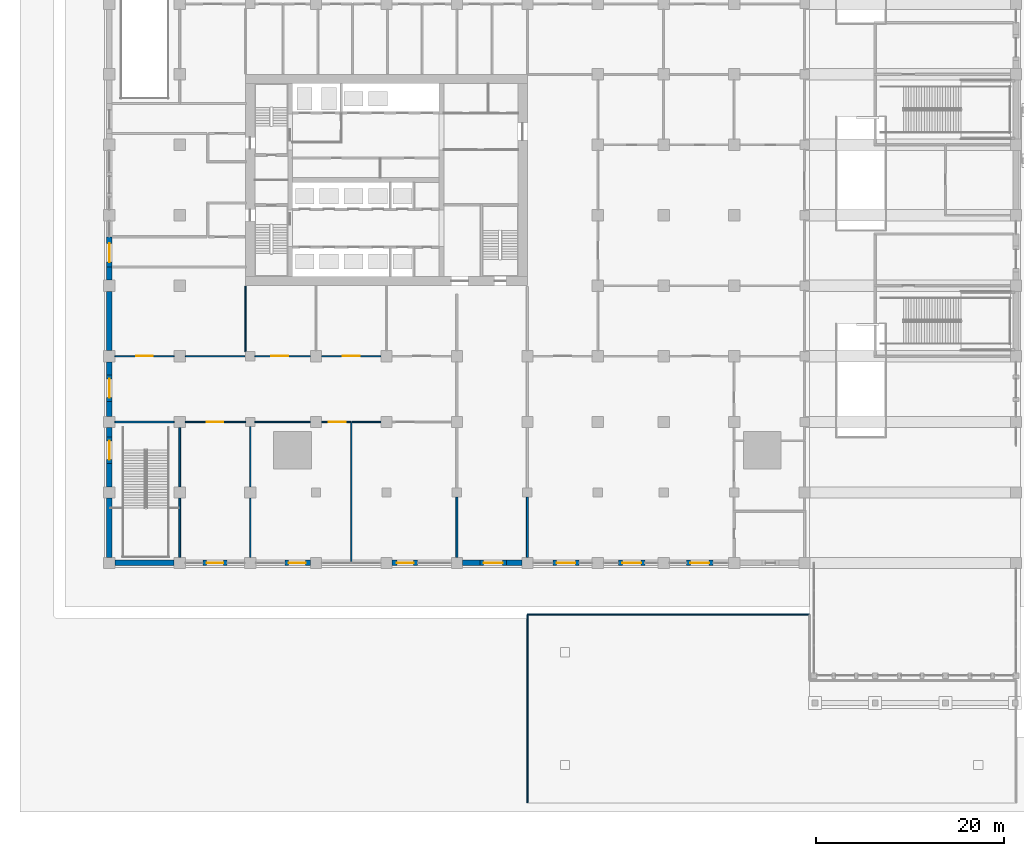
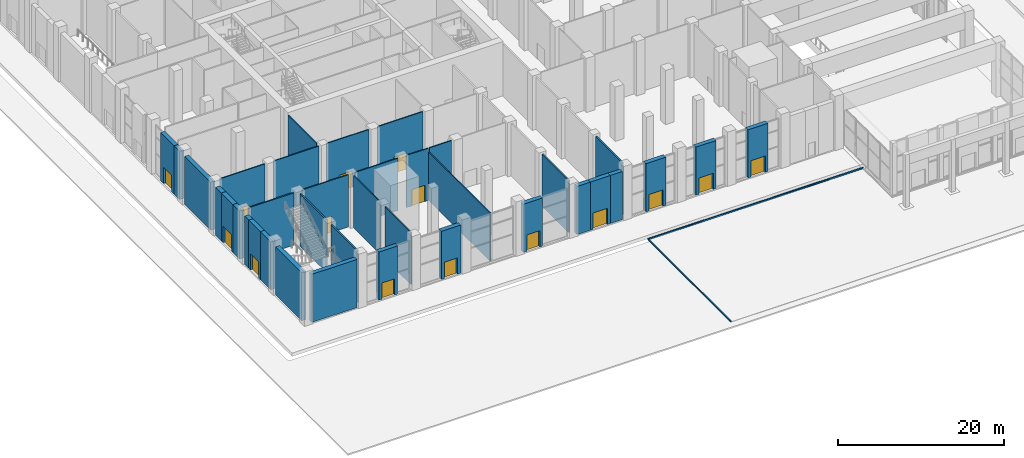
# One storey, part 24 of 57: 39 walls, 15 doors, 15 openings.
"""IFC4 building model written with IfcOpenShell, lengths in metres."""

from ifc_helpers import new_model, si_unit, direction, frame, frame_2d, origin, place, context, subcontext, project, spatial, rectangle, extrude, material, layer, layer_set, type_object, element, fill, save


model = new_model("IFC4")

# Units and contexts
model_context = context("Model", 3, precision=1e-05, world=origin(), true_north=direction((0.0, 1.0)))
body_context = subcontext(model_context, "Body", "Model", "MODEL_VIEW")
ifc_project = project(units=[si_unit("LENGTHUNIT", "METRE"), si_unit("AREAUNIT", "SQUARE_METRE"), si_unit("VOLUMEUNIT", "CUBIC_METRE"), si_unit("PLANEANGLEUNIT", "RADIAN"), si_unit("MASSUNIT", "GRAM", prefix="KILO")], contexts=[model_context])

# Site, building, storey
site_placement = place(None, origin())
site = spatial("IfcSite", under=ifc_project, at=site_placement, CompositionType="ELEMENT")
building_placement = place(site_placement, origin())
building = spatial("IfcBuilding", under=site, at=building_placement, Name="Tamorin Gate", CompositionType="ELEMENT")
storey_placement = place(building_placement, origin())
storey = spatial("IfcBuildingStorey", under=building, at=storey_placement, Name="L00", CompositionType="ELEMENT", Elevation=0.0)

# Walls
ifc_material_1 = material(Name="Reinforced concrete C32/40", Category="concrete")
ifc_layer_1 = layer(ifc_material_1, 0.199951171875)
ifc_layer_set_1 = layer_set([ifc_layer_1], Name="Exit passage wall 200")
wall_type_1 = type_object("IfcWallType", Name="Exit passage wall 200", PredefinedType="PARTITIONING", material=ifc_layer_set_1)
for number, where, z_axis, x_axis, name in (
    (1, (52.5, 31.10009765625, 0.0), (0.0, 0.0, 1.0), (0.0, 1.0, 0.0), "Exit passage wall 200 L00"),
    (2, (60.0, 31.10009765625, 0.0), (0.0, 0.0, 1.0), (0.0, 1.0, 0.0), "Exit passage wall 200 L00"),
):
    element("IfcWall", number, at=place(storey_placement, frame(where, z_axis=z_axis, x_axis=x_axis)), inside=storey, type_object=wall_type_1, Name=name, PredefinedType="PARTITIONING", context=body_context, shape_type="SweptSolid", body=[
        extrude(rectangle(XDim=6.39990234375, YDim=0.199951171875, at=frame_2d((3.199951171875, 0.0))), origin(), (0.0, 0.0, 1.0), 7.699951171875),
    ])

# Wall, opening, door
ifc_material_2 = material(Name="Concrete masonry C20/25", Category="masonry")
ifc_layer_2 = layer(ifc_material_2, 0.14990234375)
ifc_layer_set_2 = layer_set([ifc_layer_2], Name="Partition 150")
wall_type_2 = type_object("IfcWallType", Name="Partition 150", PredefinedType="PARTITIONING", material=ifc_layer_set_2)
wall_1_placement = place(storey_placement, frame((23.60009765625, 45.5, 0.0), z_axis=(0.0, 0.0, 1.0), x_axis=(1.0, 0.0, 0.0)))
wall_1 = element("IfcWall", 3, at=wall_1_placement, inside=storey, type_object=wall_type_2, Name="Partition 150 L00", PredefinedType="PARTITIONING", context=body_context, shape_type="SweptSolid", body=[
    extrude(rectangle(XDim=6.39990234375, YDim=0.14990234375, at=frame_2d((3.199951171875, 0.0))), origin(), (0.0, 0.0, 1.0), 7.699951171875),
])
opening_1_placement = place(wall_1_placement, frame((2.25, 0.0, 0.0)))
opening_1 = element("IfcOpeningElement", 4, at=opening_1_placement, cuts=wall_1, Name="Opening DP3", PredefinedType="OPENING", context=body_context, shape_type="SweptSolid", body=[
    extrude(rectangle(XDim=1.800048828125, YDim=2.39990234375, at=frame_2d((0.89990234375, 1.199951171875))), frame((0.0, 0.0849609375, 0.0), z_axis=(0.0, -1.0, 0.0), x_axis=(1.0, 0.0, 0.0)), (0.0, 0.0, 1.0), 0.169921875),
])
ifc_material_3 = material(Name="Steel and glass", Category="steel")
door_type_1 = type_object("IfcDoorType", Name="Door pair 1800", OperationType="DOUBLE_DOOR_SINGLE_SWING", PredefinedType="DOOR", material=ifc_material_3)
door_1_placement = place(opening_1_placement, origin())
door_1 = element("IfcDoor", 5, at=door_1_placement, inside=storey, type_object=door_type_1, Name="Door pair 1800 L00", OperationType="SINGLE_SWING_LEFT", OverallHeight=2.39990234375, OverallWidth=1.800048828125, PredefinedType="DOOR", context=body_context, shape_type="SweptSolid", body=[
    extrude(rectangle(XDim=1.800048828125, YDim=2.39990234375, at=frame_2d((0.89990234375, 1.199951171875))), frame((0.0, 0.02490234375, 0.0), z_axis=(0.0, -1.0, 0.0), x_axis=(1.0, 0.0, 0.0)), (0.0, 0.0, 1.0), 0.050048828125),
])
fill(opening_1, door_1)

# Wall
wall_2_placement = place(storey_placement, frame((31.0, 45.5, 0.0), z_axis=(0.0, 0.0, 1.0), x_axis=(1.0, 0.0, 0.0)))
element("IfcWall", 6, at=wall_2_placement, inside=storey, type_object=wall_type_2, Name="Partition 150 L00", PredefinedType="PARTITIONING", context=body_context, shape_type="SweptSolid", body=[
    extrude(rectangle(XDim=5.89990234375, YDim=0.14990234375, at=frame_2d((2.949951171875, 0.0))), origin(), (0.0, 0.0, 1.0), 7.699951171875),
])

# Wall, opening, door
wall_3_placement = place(storey_placement, frame((38.10009765625, 45.5, 0.0), z_axis=(0.0, 0.0, 1.0), x_axis=(1.0, 0.0, 0.0)))
wall_3 = element("IfcWall", 7, at=wall_3_placement, inside=storey, type_object=wall_type_2, Name="Partition 150 L00", PredefinedType="PARTITIONING", context=body_context, shape_type="SweptSolid", body=[
    extrude(rectangle(XDim=3.074951171875, YDim=0.14990234375, at=frame_2d((1.53759765625, 0.0))), origin(), (0.0, 0.0, 1.0), 7.699951171875),
])
opening_2_placement = place(wall_3_placement, frame((0.75, 0.0, 0.0)))
opening_2 = element("IfcOpeningElement", 8, at=opening_2_placement, cuts=wall_3, Name="Opening DP3", PredefinedType="OPENING", context=body_context, shape_type="SweptSolid", body=[
    extrude(rectangle(XDim=1.800048828125, YDim=2.39990234375, at=frame_2d((0.89990234375, 1.199951171875))), frame((0.0, 0.0849609375, 0.0), z_axis=(0.0, -1.0, 0.0), x_axis=(1.0, 0.0, 0.0)), (0.0, 0.0, 1.0), 0.169921875),
])
door_2_placement = place(opening_2_placement, origin())
door_2 = element("IfcDoor", 9, at=door_2_placement, inside=storey, type_object=door_type_1, Name="Door pair 1800 L00", OperationType="SINGLE_SWING_LEFT", OverallHeight=2.39990234375, OverallWidth=1.800048828125, PredefinedType="DOOR", context=body_context, shape_type="SweptSolid", body=[
    extrude(rectangle(XDim=1.800048828125, YDim=2.39990234375, at=frame_2d((0.89990234375, 1.199951171875))), frame((0.0, 0.02490234375, 0.0), z_axis=(0.0, -1.0, 0.0), x_axis=(1.0, 0.0, 0.0)), (0.0, 0.0, 1.0), 0.050048828125),
])
fill(opening_2, door_2)

# Wall
wall_4_placement = place(storey_placement, frame((41.324951171875, 45.5, 0.0), z_axis=(0.0, 0.0, 1.0), x_axis=(1.0, 0.0, 0.0)))
element("IfcWall", 10, at=wall_4_placement, inside=storey, type_object=wall_type_2, Name="Partition 150 L00", PredefinedType="PARTITIONING", context=body_context, shape_type="SweptSolid", body=[
    extrude(rectangle(XDim=3.074951171875, YDim=0.14990234375, at=frame_2d((1.53759765625, 0.0))), origin(), (0.0, 0.0, 1.0), 7.699951171875),
])

# Wall, opening, door
wall_5_placement = place(storey_placement, frame((22.39990234375, 52.5, 0.0), z_axis=(0.0, 0.0, 1.0), x_axis=(-1.0, 0.0, 0.0)))
wall_5 = element("IfcWall", 11, at=wall_5_placement, inside=storey, type_object=wall_type_2, Name="Partition 150 L00", PredefinedType="PARTITIONING", context=body_context, shape_type="SweptSolid", body=[
    extrude(rectangle(XDim=6.2998046875, YDim=0.14990234375, at=frame_2d((3.14990234375, 0.0))), origin(), (0.0, 0.0, 1.0), 7.699951171875),
])
opening_3_placement = place(wall_5_placement, frame((2.25, 0.0, 0.0)))
opening_3 = element("IfcOpeningElement", 12, at=opening_3_placement, cuts=wall_5, Name="Opening DP3", PredefinedType="OPENING", context=body_context, shape_type="SweptSolid", body=[
    extrude(rectangle(XDim=1.800048828125, YDim=2.39990234375, at=frame_2d((0.89990234375, 1.199951171875))), frame((0.0, 0.0849609375, 0.0), z_axis=(0.0, -1.0, 0.0), x_axis=(1.0, 0.0, 0.0)), (0.0, 0.0, 1.0), 0.169921875),
])
door_3_placement = place(opening_3_placement, origin())
door_3 = element("IfcDoor", 13, at=door_3_placement, inside=storey, type_object=door_type_1, Name="Door pair 1800 L00", OperationType="SINGLE_SWING_LEFT", OverallHeight=2.39990234375, OverallWidth=1.800048828125, PredefinedType="DOOR", context=body_context, shape_type="SweptSolid", body=[
    extrude(rectangle(XDim=1.800048828125, YDim=2.39990234375, at=frame_2d((0.89990234375, 1.199951171875))), frame((0.0, 0.02490234375, 0.0), z_axis=(0.0, -1.0, 0.0), x_axis=(1.0, 0.0, 0.0)), (0.0, 0.0, 1.0), 0.050048828125),
])
fill(opening_3, door_3)

# Wall
wall_6_placement = place(storey_placement, frame((23.60009765625, 52.5, 0.0), z_axis=(0.0, 0.0, 1.0), x_axis=(1.0, 0.0, 0.0)))
element("IfcWall", 14, at=wall_6_placement, inside=storey, type_object=wall_type_2, Name="Partition 150 L00", PredefinedType="PARTITIONING", context=body_context, shape_type="SweptSolid", body=[
    extrude(rectangle(XDim=6.324951171875, YDim=0.14990234375, at=frame_2d((3.16259765625, 0.0))), origin(), (0.0, 0.0, 1.0), 7.699951171875),
])

# Wall, opening, door
wall_7_placement = place(storey_placement, frame((36.89990234375, 52.5, 0.0), z_axis=(0.0, 0.0, 1.0), x_axis=(-1.0, 0.0, 0.0)))
wall_7 = element("IfcWall", 15, at=wall_7_placement, inside=storey, type_object=wall_type_2, Name="Partition 150 L00", PredefinedType="PARTITIONING", context=body_context, shape_type="SweptSolid", body=[
    extrude(rectangle(XDim=5.89990234375, YDim=0.14990234375, at=frame_2d((2.949951171875, 0.0))), origin(), (0.0, 0.0, 1.0), 7.699951171875),
])
opening_4_placement = place(wall_7_placement, frame((2.35009765625, 0.0, 0.0)))
opening_4 = element("IfcOpeningElement", 16, at=opening_4_placement, cuts=wall_7, Name="Opening DP3", PredefinedType="OPENING", context=body_context, shape_type="SweptSolid", body=[
    extrude(rectangle(XDim=1.800048828125, YDim=2.39990234375, at=frame_2d((0.89990234375, 1.199951171875))), frame((0.0, 0.0849609375, 0.0), z_axis=(0.0, -1.0, 0.0), x_axis=(1.0, 0.0, 0.0)), (0.0, 0.0, 1.0), 0.169921875),
])
door_4_placement = place(opening_4_placement, origin())
door_4 = element("IfcDoor", 17, at=door_4_placement, inside=storey, type_object=door_type_1, Name="Door pair 1800 L00", OperationType="SINGLE_SWING_LEFT", OverallHeight=2.39990234375, OverallWidth=1.800048828125, PredefinedType="DOOR", context=body_context, shape_type="SweptSolid", body=[
    extrude(rectangle(XDim=1.800048828125, YDim=2.39990234375, at=frame_2d((0.89990234375, 1.199951171875))), frame((0.0, 0.02490234375, 0.0), z_axis=(0.0, -1.0, 0.0), x_axis=(1.0, 0.0, 0.0)), (0.0, 0.0, 1.0), 0.050048828125),
])
fill(opening_4, door_4)

wall_8_placement = place(storey_placement, frame((44.39990234375, 52.5, 0.0), z_axis=(0.0, 0.0, 1.0), x_axis=(-1.0, 0.0, 0.0)))
wall_8 = element("IfcWall", 18, at=wall_8_placement, inside=storey, type_object=wall_type_2, Name="Partition 150 L00", PredefinedType="PARTITIONING", context=body_context, shape_type="SweptSolid", body=[
    extrude(rectangle(XDim=6.2998046875, YDim=0.14990234375, at=frame_2d((3.14990234375, 0.0))), origin(), (0.0, 0.0, 1.0), 7.699951171875),
])
opening_5_placement = place(wall_8_placement, frame((2.25, 0.0, 0.0)))
opening_5 = element("IfcOpeningElement", 19, at=opening_5_placement, cuts=wall_8, Name="Opening DP3", PredefinedType="OPENING", context=body_context, shape_type="SweptSolid", body=[
    extrude(rectangle(XDim=1.800048828125, YDim=2.39990234375, at=frame_2d((0.89990234375, 1.199951171875))), frame((0.0, 0.0849609375, 0.0), z_axis=(0.0, -1.0, 0.0), x_axis=(1.0, 0.0, 0.0)), (0.0, 0.0, 1.0), 0.169921875),
])
door_5_placement = place(opening_5_placement, origin())
door_5 = element("IfcDoor", 20, at=door_5_placement, inside=storey, type_object=door_type_1, Name="Door pair 1800 L00", OperationType="SINGLE_SWING_LEFT", OverallHeight=2.39990234375, OverallWidth=1.800048828125, PredefinedType="DOOR", context=body_context, shape_type="SweptSolid", body=[
    extrude(rectangle(XDim=1.800048828125, YDim=2.39990234375, at=frame_2d((0.89990234375, 1.199951171875))), frame((0.0, 0.02490234375, 0.0), z_axis=(0.0, -1.0, 0.0), x_axis=(1.0, 0.0, 0.0)), (0.0, 0.0, 1.0), 0.050048828125),
])
fill(opening_5, door_5)

# Walls
wall_9_placement = place(storey_placement, frame((30.5, 31.10009765625, 0.0), z_axis=(0.0, 0.0, 1.0), x_axis=(0.0, 1.0, 0.0)))
element("IfcWall", 21, at=wall_9_placement, inside=storey, type_object=wall_type_2, Name="Partition 150 L00", PredefinedType="PARTITIONING", context=body_context, shape_type="SweptSolid", body=[
    extrude(rectangle(XDim=6.2998046875, YDim=0.14990234375, at=frame_2d((3.14990234375, 0.0))), origin(), (0.0, 0.0, 1.0), 7.699951171875),
])
wall_10_placement = place(storey_placement, frame((30.5, 38.60009765625, 0.0), z_axis=(0.0, 0.0, 1.0), x_axis=(0.0, 1.0, 0.0)))
element("IfcWall", 22, at=wall_10_placement, inside=storey, type_object=wall_type_2, Name="Partition 150 L00", PredefinedType="PARTITIONING", context=body_context, shape_type="SweptSolid", body=[
    extrude(rectangle(XDim=6.39990234375, YDim=0.14990234375, at=frame_2d((3.199951171875, 0.0))), origin(), (0.0, 0.0, 1.0), 7.699951171875),
])
wall_11_placement = place(storey_placement, frame((41.25, 30.580078125, 0.0), z_axis=(0.0, 0.0, 1.0), x_axis=(0.0, 1.0, 0.0)))
element("IfcWall", 23, at=wall_11_placement, inside=storey, type_object=wall_type_2, Name="Partition 150 L00", PredefinedType="PARTITIONING", context=body_context, shape_type="SweptSolid", body=[
    extrude(rectangle(XDim=14.844970703125, YDim=0.14990234375, at=frame_2d((7.42236328125, 0.0))), origin(), (0.0, 0.0, 1.0), 7.10009765625),
])
wall_12_placement = place(storey_placement, frame((30.0, 53.0, 0.0), z_axis=(0.0, 0.0, 1.0), x_axis=(0.0, 1.0, 0.0)))
element("IfcWall", 24, at=wall_12_placement, inside=storey, type_object=wall_type_2, Name="Partition 150 L00", PredefinedType="PARTITIONING", context=body_context, shape_type="SweptSolid", body=[
    extrude(rectangle(XDim=6.925048828125, YDim=0.14990234375, at=frame_2d((3.46240234375, 0.0))), origin(), (0.0, 0.0, 1.0), 7.699951171875),
])
ifc_material_4 = material(Name="Concrete C30/37", Category="concrete")
ifc_layer_3 = layer(ifc_material_4, 0.14990234375)
ifc_layer_set_3 = layer_set([ifc_layer_3], Name="Precast kerb 150 C30/37")
wall_type_3 = type_object("IfcWallType", Name="Precast kerb 150 C30/37", PredefinedType="STANDARD", material=ifc_layer_set_3)
wall_13_placement = place(storey_placement, frame((60.0, 5.0, 0.0), z_axis=(0.0, 0.0, 1.0), x_axis=(0.0, 1.0, 0.0)))
element("IfcWall", 25, at=wall_13_placement, inside=storey, type_object=wall_type_3, Name="Kerb", PredefinedType="STANDARD", context=body_context, shape_type="SweptSolid", body=[
    extrude(rectangle(XDim=20.0, YDim=0.14990234375, at=frame_2d((10.0, 0.0))), origin(), (0.0, 0.0, 1.0), 0.14990234375),
])
wall_14_placement = place(storey_placement, frame((60.0, 25.0, 0.0), z_axis=(0.0, 0.0, 1.0), x_axis=(1.0, 0.0, 0.0)))
element("IfcWall", 26, at=wall_14_placement, inside=storey, type_object=wall_type_3, Name="Kerb", PredefinedType="STANDARD", context=body_context, shape_type="SweptSolid", body=[
    extrude(rectangle(XDim=30.0, YDim=0.14990234375, at=frame_2d((15.0, 0.0))), origin(), (0.0, 0.0, 1.0), 0.14990234375),
])
ifc_material_5 = material(Name="Precast concrete C40/50", Category="concrete")
ifc_layer_4 = layer(ifc_material_5, 0.60009765625)
ifc_layer_set_4 = layer_set([ifc_layer_4], Name="Precast concrete C40/50")
wall_type_4 = type_object("IfcWallType", Name="Precast plinth wall 600", PredefinedType="PARTITIONING", material=ifc_layer_set_4)
wall_15_placement = place(storey_placement, frame((16.10009765625, 30.5, 0.0), z_axis=(0.0, 0.0, 1.0), x_axis=(1.0, 0.0, 0.0)))
element("IfcWall", 27, at=wall_15_placement, inside=storey, type_object=wall_type_4, Name="Precast plinth wall 600 L00", PredefinedType="PARTITIONING", context=body_context, shape_type="SweptSolid", body=[
    extrude(rectangle(XDim=6.2998046875, YDim=0.60009765625, at=frame_2d((3.14990234375, 0.0))), origin(), (0.0, 0.0, 1.0), 7.10009765625),
])

# Wall, opening, door
wall_16_placement = place(storey_placement, frame((28.050048828125, 30.5, 0.0), z_axis=(0.0, 0.0, 1.0), x_axis=(-1.0, 0.0, 0.0)))
wall_16 = element("IfcWall", 28, at=wall_16_placement, inside=storey, type_object=wall_type_4, Name="Precast plinth wall 600 L00", PredefinedType="PARTITIONING", context=body_context, shape_type="SweptSolid", body=[
    extrude(rectangle(XDim=2.60009765625, YDim=0.60009765625, at=frame_2d((1.300048828125, 0.0))), origin(), (0.0, 0.0, 1.0), 7.10009765625),
])
opening_6_placement = place(wall_16_placement, frame((0.39990234375, 0.0, 0.0)))
opening_6 = element("IfcOpeningElement", 29, at=opening_6_placement, cuts=wall_16, Name="Opening DP3", PredefinedType="OPENING", context=body_context, shape_type="SweptSolid", body=[
    extrude(rectangle(XDim=1.800048828125, YDim=2.39990234375, at=frame_2d((0.89990234375, 1.199951171875))), frame((0.0, 0.31005859375, 0.0), z_axis=(0.0, -1.0, 0.0), x_axis=(1.0, 0.0, 0.0)), (0.0, 0.0, 1.0), 0.6201171875),
])
door_6_placement = place(opening_6_placement, origin())
door_6 = element("IfcDoor", 30, at=door_6_placement, inside=storey, type_object=door_type_1, Name="Door pair 1800 L00", OperationType="SINGLE_SWING_LEFT", OverallHeight=2.39990234375, OverallWidth=1.800048828125, PredefinedType="DOOR", context=body_context, shape_type="SweptSolid", body=[
    extrude(rectangle(XDim=1.800048828125, YDim=2.39990234375, at=frame_2d((0.89990234375, 1.199951171875))), frame((0.0, 0.02490234375, 0.0), z_axis=(0.0, -1.0, 0.0), x_axis=(1.0, 0.0, 0.0)), (0.0, 0.0, 1.0), 0.050048828125),
])
fill(opening_6, door_6)

wall_17_placement = place(storey_placement, frame((36.89990234375, 30.5, 0.0), z_axis=(0.0, 0.0, 1.0), x_axis=(-1.0, 0.0, 0.0)))
wall_17 = element("IfcWall", 31, at=wall_17_placement, inside=storey, type_object=wall_type_4, Name="Precast plinth wall 600 L00", PredefinedType="PARTITIONING", context=body_context, shape_type="SweptSolid", body=[
    extrude(rectangle(XDim=2.699951171875, YDim=0.60009765625, at=frame_2d((1.35009765625, 0.0))), origin(), (0.0, 0.0, 1.0), 7.10009765625),
])
opening_7_placement = place(wall_17_placement, frame((0.5, 0.0, 0.0)))
opening_7 = element("IfcOpeningElement", 32, at=opening_7_placement, cuts=wall_17, Name="Opening DP3", PredefinedType="OPENING", context=body_context, shape_type="SweptSolid", body=[
    extrude(rectangle(XDim=1.800048828125, YDim=2.39990234375, at=frame_2d((0.89990234375, 1.199951171875))), frame((0.0, 0.31005859375, 0.0), z_axis=(0.0, -1.0, 0.0), x_axis=(1.0, 0.0, 0.0)), (0.0, 0.0, 1.0), 0.6201171875),
])
door_7_placement = place(opening_7_placement, origin())
door_7 = element("IfcDoor", 33, at=door_7_placement, inside=storey, type_object=door_type_1, Name="Door pair 1800 L00", OperationType="SINGLE_SWING_LEFT", OverallHeight=2.39990234375, OverallWidth=1.800048828125, PredefinedType="DOOR", context=body_context, shape_type="SweptSolid", body=[
    extrude(rectangle(XDim=1.800048828125, YDim=2.39990234375, at=frame_2d((0.89990234375, 1.199951171875))), frame((0.0, 0.02490234375, 0.0), z_axis=(0.0, -1.0, 0.0), x_axis=(1.0, 0.0, 0.0)), (0.0, 0.0, 1.0), 0.050048828125),
])
fill(opening_7, door_7)

wall_18_placement = place(storey_placement, frame((48.300048828125, 30.5, 0.0), z_axis=(0.0, 0.0, 1.0), x_axis=(-1.0, 0.0, 0.0)))
wall_18 = element("IfcWall", 34, at=wall_18_placement, inside=storey, type_object=wall_type_4, Name="Precast plinth wall 600 L00", PredefinedType="PARTITIONING", context=body_context, shape_type="SweptSolid", body=[
    extrude(rectangle(XDim=2.699951171875, YDim=0.60009765625, at=frame_2d((1.35009765625, 0.0))), origin(), (0.0, 0.0, 1.0), 7.10009765625),
])
opening_8_placement = place(wall_18_placement, frame((0.39990234375, 0.0, 0.0)))
opening_8 = element("IfcOpeningElement", 35, at=opening_8_placement, cuts=wall_18, Name="Opening DP3", PredefinedType="OPENING", context=body_context, shape_type="SweptSolid", body=[
    extrude(rectangle(XDim=1.800048828125, YDim=2.39990234375, at=frame_2d((0.89990234375, 1.199951171875))), frame((0.0, 0.31005859375, 0.0), z_axis=(0.0, -1.0, 0.0), x_axis=(1.0, 0.0, 0.0)), (0.0, 0.0, 1.0), 0.6201171875),
])
door_8_placement = place(opening_8_placement, origin())
door_8 = element("IfcDoor", 36, at=door_8_placement, inside=storey, type_object=door_type_1, Name="Door pair 1800 L00", OperationType="SINGLE_SWING_LEFT", OverallHeight=2.39990234375, OverallWidth=1.800048828125, PredefinedType="DOOR", context=body_context, shape_type="SweptSolid", body=[
    extrude(rectangle(XDim=1.800048828125, YDim=2.39990234375, at=frame_2d((0.89990234375, 1.199951171875))), frame((0.0, 0.02490234375, 0.0), z_axis=(0.0, -1.0, 0.0), x_axis=(1.0, 0.0, 0.0)), (0.0, 0.0, 1.0), 0.050048828125),
])
fill(opening_8, door_8)

wall_19_placement = place(storey_placement, frame((57.75, 30.5, 0.0), z_axis=(0.0, 0.0, 1.0), x_axis=(-1.0, 0.0, 0.0)))
wall_19 = element("IfcWall", 37, at=wall_19_placement, inside=storey, type_object=wall_type_4, Name="Precast plinth wall 600 L00", PredefinedType="PARTITIONING", context=body_context, shape_type="SweptSolid", body=[
    extrude(rectangle(XDim=2.800048828125, YDim=0.60009765625, at=frame_2d((1.39990234375, 0.0))), origin(), (0.0, 0.0, 1.0), 7.10009765625),
])
opening_9_placement = place(wall_19_placement, frame((0.39990234375, 0.0, 0.0)))
opening_9 = element("IfcOpeningElement", 38, at=opening_9_placement, cuts=wall_19, Name="Opening DP4", PredefinedType="OPENING", context=body_context, shape_type="SweptSolid", body=[
    extrude(rectangle(XDim=2.0, YDim=2.39990234375, at=frame_2d((1.0, 1.199951171875))), frame((0.0, 0.31005859375, 0.0), z_axis=(0.0, -1.0, 0.0), x_axis=(1.0, 0.0, 0.0)), (0.0, 0.0, 1.0), 0.6201171875),
])
door_type_2 = type_object("IfcDoorType", Name="Exit door pair 2000", OperationType="DOUBLE_DOOR_SINGLE_SWING", PredefinedType="DOOR", material=ifc_material_3)
door_9_placement = place(opening_9_placement, origin())
door_9 = element("IfcDoor", 39, at=door_9_placement, inside=storey, type_object=door_type_2, Name="Exit door pair 2000 L00", OperationType="SINGLE_SWING_LEFT", OverallHeight=2.39990234375, OverallWidth=2.0, PredefinedType="DOOR", context=body_context, shape_type="SweptSolid", body=[
    extrude(rectangle(XDim=2.0, YDim=2.39990234375, at=frame_2d((1.0, 1.199951171875))), frame((0.0, 0.02490234375, 0.0), z_axis=(0.0, -1.0, 0.0), x_axis=(1.0, 0.0, 0.0)), (0.0, 0.0, 1.0), 0.050048828125),
])
fill(opening_9, door_9)

# Walls
wall_20_placement = place(storey_placement, frame((53.10009765625, 30.5, 0.0), z_axis=(0.0, 0.0, 1.0), x_axis=(1.0, 0.0, 0.0)))
element("IfcWall", 40, at=wall_20_placement, inside=storey, type_object=wall_type_4, Name="Precast plinth wall 600 L00", PredefinedType="PARTITIONING", context=body_context, shape_type="SweptSolid", body=[
    extrude(rectangle(XDim=1.849853515625, YDim=0.60009765625, at=frame_2d((0.9248046875, 0.0))), origin(), (0.0, 0.0, 1.0), 7.10009765625),
])
wall_21_placement = place(storey_placement, frame((57.75, 30.5, 0.0), z_axis=(0.0, 0.0, 1.0), x_axis=(1.0, 0.0, 0.0)))
element("IfcWall", 41, at=wall_21_placement, inside=storey, type_object=wall_type_4, Name="Precast plinth wall 600 L00", PredefinedType="PARTITIONING", context=body_context, shape_type="SweptSolid", body=[
    extrude(rectangle(XDim=1.64990234375, YDim=0.60009765625, at=frame_2d((0.824951171875, 0.0))), origin(), (0.0, 0.0, 1.0), 7.10009765625),
])

# Wall, opening, door
wall_22_placement = place(storey_placement, frame((65.5, 30.5, 0.0), z_axis=(0.0, 0.0, 1.0), x_axis=(-1.0, 0.0, 0.0)))
wall_22 = element("IfcWall", 42, at=wall_22_placement, inside=storey, type_object=wall_type_4, Name="Precast plinth wall 600 L00", PredefinedType="PARTITIONING", context=body_context, shape_type="SweptSolid", body=[
    extrude(rectangle(XDim=2.800048828125, YDim=0.60009765625, at=frame_2d((1.39990234375, 0.0))), origin(), (0.0, 0.0, 1.0), 7.10009765625),
])
opening_10_placement = place(wall_22_placement, frame((0.39990234375, 0.0, 0.0)))
opening_10 = element("IfcOpeningElement", 43, at=opening_10_placement, cuts=wall_22, Name="Opening DP4", PredefinedType="OPENING", context=body_context, shape_type="SweptSolid", body=[
    extrude(rectangle(XDim=2.0, YDim=2.39990234375, at=frame_2d((1.0, 1.199951171875))), frame((0.0, 0.31005859375, 0.0), z_axis=(0.0, -1.0, 0.0), x_axis=(1.0, 0.0, 0.0)), (0.0, 0.0, 1.0), 0.6201171875),
])
door_10_placement = place(opening_10_placement, origin())
door_10 = element("IfcDoor", 44, at=door_10_placement, inside=storey, type_object=door_type_2, Name="Exit door pair 2000 L00", OperationType="SINGLE_SWING_LEFT", OverallHeight=2.39990234375, OverallWidth=2.0, PredefinedType="DOOR", context=body_context, shape_type="SweptSolid", body=[
    extrude(rectangle(XDim=2.0, YDim=2.39990234375, at=frame_2d((1.0, 1.199951171875))), frame((0.0, 0.02490234375, 0.0), z_axis=(0.0, -1.0, 0.0), x_axis=(1.0, 0.0, 0.0)), (0.0, 0.0, 1.0), 0.050048828125),
])
fill(opening_10, door_10)

wall_23_placement = place(storey_placement, frame((72.5, 30.5, 0.0), z_axis=(0.0, 0.0, 1.0), x_axis=(-1.0, 0.0, 0.0)))
wall_23 = element("IfcWall", 45, at=wall_23_placement, inside=storey, type_object=wall_type_4, Name="Precast plinth wall 600 L00", PredefinedType="PARTITIONING", context=body_context, shape_type="SweptSolid", body=[
    extrude(rectangle(XDim=2.800048828125, YDim=0.60009765625, at=frame_2d((1.39990234375, 0.0))), origin(), (0.0, 0.0, 1.0), 7.10009765625),
])
opening_11_placement = place(wall_23_placement, frame((0.39990234375, 0.0, 0.0)))
opening_11 = element("IfcOpeningElement", 46, at=opening_11_placement, cuts=wall_23, Name="Opening DP4", PredefinedType="OPENING", context=body_context, shape_type="SweptSolid", body=[
    extrude(rectangle(XDim=2.0, YDim=2.39990234375, at=frame_2d((1.0, 1.199951171875))), frame((0.0, 0.31005859375, 0.0), z_axis=(0.0, -1.0, 0.0), x_axis=(1.0, 0.0, 0.0)), (0.0, 0.0, 1.0), 0.6201171875),
])
door_11_placement = place(opening_11_placement, origin())
door_11 = element("IfcDoor", 47, at=door_11_placement, inside=storey, type_object=door_type_2, Name="Exit door pair 2000 L00", OperationType="SINGLE_SWING_LEFT", OverallHeight=2.39990234375, OverallWidth=2.0, PredefinedType="DOOR", context=body_context, shape_type="SweptSolid", body=[
    extrude(rectangle(XDim=2.0, YDim=2.39990234375, at=frame_2d((1.0, 1.199951171875))), frame((0.0, 0.02490234375, 0.0), z_axis=(0.0, -1.0, 0.0), x_axis=(1.0, 0.0, 0.0)), (0.0, 0.0, 1.0), 0.050048828125),
])
fill(opening_11, door_11)

wall_24_placement = place(storey_placement, frame((79.75, 30.5, 0.0), z_axis=(0.0, 0.0, 1.0), x_axis=(-1.0, 0.0, 0.0)))
wall_24 = element("IfcWall", 48, at=wall_24_placement, inside=storey, type_object=wall_type_4, Name="Precast plinth wall 600 L00", PredefinedType="PARTITIONING", context=body_context, shape_type="SweptSolid", body=[
    extrude(rectangle(XDim=2.800048828125, YDim=0.60009765625, at=frame_2d((1.39990234375, 0.0))), origin(), (0.0, 0.0, 1.0), 7.10009765625),
])
opening_12_placement = place(wall_24_placement, frame((0.39990234375, 0.0, 0.0)))
opening_12 = element("IfcOpeningElement", 49, at=opening_12_placement, cuts=wall_24, Name="Opening DP4", PredefinedType="OPENING", context=body_context, shape_type="SweptSolid", body=[
    extrude(rectangle(XDim=2.0, YDim=2.39990234375, at=frame_2d((1.0, 1.199951171875))), frame((0.0, 0.31005859375, 0.0), z_axis=(0.0, -1.0, 0.0), x_axis=(1.0, 0.0, 0.0)), (0.0, 0.0, 1.0), 0.6201171875),
])
door_12_placement = place(opening_12_placement, origin())
door_12 = element("IfcDoor", 50, at=door_12_placement, inside=storey, type_object=door_type_2, Name="Exit door pair 2000 L00", OperationType="SINGLE_SWING_LEFT", OverallHeight=2.39990234375, OverallWidth=2.0, PredefinedType="DOOR", context=body_context, shape_type="SweptSolid", body=[
    extrude(rectangle(XDim=2.0, YDim=2.39990234375, at=frame_2d((1.0, 1.199951171875))), frame((0.0, 0.02490234375, 0.0), z_axis=(0.0, -1.0, 0.0), x_axis=(1.0, 0.0, 0.0)), (0.0, 0.0, 1.0), 0.050048828125),
])
fill(opening_12, door_12)

# Wall
wall_25_placement = place(storey_placement, frame((15.5, 31.10009765625, 0.0), z_axis=(0.0, 0.0, 1.0), x_axis=(0.0, 1.0, 0.0)))
element("IfcWall", 51, at=wall_25_placement, inside=storey, type_object=wall_type_4, Name="Precast plinth wall 600 L00", PredefinedType="PARTITIONING", context=body_context, shape_type="SweptSolid", body=[
    extrude(rectangle(XDim=6.2998046875, YDim=0.60009765625, at=frame_2d((3.14990234375, 0.0))), origin(), (0.0, 0.0, 1.0), 7.10009765625),
])

# Wall, opening, door
wall_26_placement = place(storey_placement, frame((15.5, 41.10009765625, 0.0), z_axis=(0.0, 0.0, 1.0), x_axis=(0.0, 1.0, 0.0)))
wall_26 = element("IfcWall", 52, at=wall_26_placement, inside=storey, type_object=wall_type_4, Name="Precast plinth wall 600 L00", PredefinedType="PARTITIONING", context=body_context, shape_type="SweptSolid", body=[
    extrude(rectangle(XDim=2.7998046875, YDim=0.60009765625, at=frame_2d((1.39990234375, 0.0))), origin(), (0.0, 0.0, 1.0), 7.10009765625),
])
opening_13_placement = place(wall_26_placement, frame((0.39990234375, 0.0, 0.0)))
opening_13 = element("IfcOpeningElement", 53, at=opening_13_placement, cuts=wall_26, Name="Opening DP4", PredefinedType="OPENING", context=body_context, shape_type="SweptSolid", body=[
    extrude(rectangle(XDim=2.0, YDim=2.39990234375, at=frame_2d((1.0, 1.199951171875))), frame((0.0, 0.31005859375, 0.0), z_axis=(0.0, -1.0, 0.0), x_axis=(1.0, 0.0, 0.0)), (0.0, 0.0, 1.0), 0.6201171875),
])
door_13_placement = place(opening_13_placement, origin())
door_13 = element("IfcDoor", 54, at=door_13_placement, inside=storey, type_object=door_type_2, Name="Exit door pair 2000 L00", OperationType="SINGLE_SWING_LEFT", OverallHeight=2.39990234375, OverallWidth=2.0, PredefinedType="DOOR", context=body_context, shape_type="SweptSolid", body=[
    extrude(rectangle(XDim=2.0, YDim=2.39990234375, at=frame_2d((1.0, 1.199951171875))), frame((0.0, 0.02490234375, 0.0), z_axis=(0.0, -1.0, 0.0), x_axis=(1.0, 0.0, 0.0)), (0.0, 0.0, 1.0), 0.050048828125),
])
fill(opening_13, door_13)

# Walls
wall_27_placement = place(storey_placement, frame((15.5, 38.60009765625, 0.0), z_axis=(0.0, 0.0, 1.0), x_axis=(0.0, 1.0, 0.0)))
element("IfcWall", 55, at=wall_27_placement, inside=storey, type_object=wall_type_4, Name="Precast plinth wall 600 L00", PredefinedType="PARTITIONING", context=body_context, shape_type="SweptSolid", body=[
    extrude(rectangle(XDim=2.5, YDim=0.60009765625, at=frame_2d((1.25, 0.0))), origin(), (0.0, 0.0, 1.0), 7.10009765625),
])
wall_28_placement = place(storey_placement, frame((15.5, 43.89990234375, 0.0), z_axis=(0.0, 0.0, 1.0), x_axis=(0.0, 1.0, 0.0)))
element("IfcWall", 56, at=wall_28_placement, inside=storey, type_object=wall_type_4, Name="Precast plinth wall 600 L00", PredefinedType="PARTITIONING", context=body_context, shape_type="SweptSolid", body=[
    extrude(rectangle(XDim=1.0, YDim=0.60009765625, at=frame_2d((0.5, 0.0))), origin(), (0.0, 0.0, 1.0), 7.10009765625),
])

# Wall, opening, door
wall_29_placement = place(storey_placement, frame((15.5, 47.699951171875, 0.0), z_axis=(0.0, 0.0, 1.0), x_axis=(0.0, 1.0, 0.0)))
wall_29 = element("IfcWall", 57, at=wall_29_placement, inside=storey, type_object=wall_type_4, Name="Precast plinth wall 600 L00", PredefinedType="PARTITIONING", context=body_context, shape_type="SweptSolid", body=[
    extrude(rectangle(XDim=2.800048828125, YDim=0.60009765625, at=frame_2d((1.39990234375, 0.0))), origin(), (0.0, 0.0, 1.0), 7.10009765625),
])
opening_14_placement = place(wall_29_placement, frame((0.39990234375, 0.0, 0.0)))
opening_14 = element("IfcOpeningElement", 58, at=opening_14_placement, cuts=wall_29, Name="Opening DP4", PredefinedType="OPENING", context=body_context, shape_type="SweptSolid", body=[
    extrude(rectangle(XDim=2.0, YDim=2.39990234375, at=frame_2d((1.0, 1.199951171875))), frame((0.0, 0.31005859375, 0.0), z_axis=(0.0, -1.0, 0.0), x_axis=(1.0, 0.0, 0.0)), (0.0, 0.0, 1.0), 0.6201171875),
])
door_14_placement = place(opening_14_placement, origin())
door_14 = element("IfcDoor", 59, at=door_14_placement, inside=storey, type_object=door_type_2, Name="Exit door pair 2000 L00", OperationType="SINGLE_SWING_LEFT", OverallHeight=2.39990234375, OverallWidth=2.0, PredefinedType="DOOR", context=body_context, shape_type="SweptSolid", body=[
    extrude(rectangle(XDim=2.0, YDim=2.39990234375, at=frame_2d((1.0, 1.199951171875))), frame((0.0, 0.02490234375, 0.0), z_axis=(0.0, -1.0, 0.0), x_axis=(1.0, 0.0, 0.0)), (0.0, 0.0, 1.0), 0.050048828125),
])
fill(opening_14, door_14)

# Walls
wall_30_placement = place(storey_placement, frame((15.5, 46.10009765625, 0.0), z_axis=(0.0, 0.0, 1.0), x_axis=(0.0, 1.0, 0.0)))
element("IfcWall", 60, at=wall_30_placement, inside=storey, type_object=wall_type_4, Name="Precast plinth wall 600 L00", PredefinedType="PARTITIONING", context=body_context, shape_type="SweptSolid", body=[
    extrude(rectangle(XDim=1.599853515625, YDim=0.60009765625, at=frame_2d((0.7998046875, 0.0))), origin(), (0.0, 0.0, 1.0), 7.10009765625),
])
wall_31_placement = place(storey_placement, frame((15.5, 50.5, 0.0), z_axis=(0.0, 0.0, 1.0), x_axis=(0.0, 1.0, 0.0)))
element("IfcWall", 61, at=wall_31_placement, inside=storey, type_object=wall_type_4, Name="Precast plinth wall 600 L00", PredefinedType="PARTITIONING", context=body_context, shape_type="SweptSolid", body=[
    extrude(rectangle(XDim=1.39990234375, YDim=0.60009765625, at=frame_2d((0.699951171875, 0.0))), origin(), (0.0, 0.0, 1.0), 7.10009765625),
])
wall_32_placement = place(storey_placement, frame((15.5, 53.10009765625, 0.0), z_axis=(0.0, 0.0, 1.0), x_axis=(0.0, 1.0, 0.0)))
element("IfcWall", 62, at=wall_32_placement, inside=storey, type_object=wall_type_4, Name="Precast plinth wall 600 L00", PredefinedType="PARTITIONING", context=body_context, shape_type="SweptSolid", body=[
    extrude(rectangle(XDim=6.2998046875, YDim=0.60009765625, at=frame_2d((3.14990234375, 0.0))), origin(), (0.0, 0.0, 1.0), 7.10009765625),
])
wall_33_placement = place(storey_placement, frame((15.5, 60.60009765625, 0.0), z_axis=(0.0, 0.0, 1.0), x_axis=(0.0, 1.0, 0.0)))
element("IfcWall", 63, at=wall_33_placement, inside=storey, type_object=wall_type_4, Name="Precast plinth wall 600 L00", PredefinedType="PARTITIONING", context=body_context, shape_type="SweptSolid", body=[
    extrude(rectangle(XDim=1.39990234375, YDim=0.60009765625, at=frame_2d((0.699951171875, 0.0))), origin(), (0.0, 0.0, 1.0), 7.10009765625),
])

# Wall, opening, door
wall_34_placement = place(storey_placement, frame((15.5, 62.0, 0.0), z_axis=(0.0, 0.0, 1.0), x_axis=(0.0, 1.0, 0.0)))
wall_34 = element("IfcWall", 64, at=wall_34_placement, inside=storey, type_object=wall_type_4, Name="Precast plinth wall 600 L00", PredefinedType="PARTITIONING", context=body_context, shape_type="SweptSolid", body=[
    extrude(rectangle(XDim=3.199951171875, YDim=0.60009765625, at=frame_2d((1.60009765625, 0.0))), origin(), (0.0, 0.0, 1.0), 7.10009765625),
])
opening_15_placement = place(wall_34_placement, frame((0.5, 0.0, 0.0)))
opening_15 = element("IfcOpeningElement", 65, at=opening_15_placement, cuts=wall_34, Name="Opening DP4", PredefinedType="OPENING", context=body_context, shape_type="SweptSolid", body=[
    extrude(rectangle(XDim=2.0, YDim=2.39990234375, at=frame_2d((1.0, 1.199951171875))), frame((0.0, 0.31005859375, 0.0), z_axis=(0.0, -1.0, 0.0), x_axis=(1.0, 0.0, 0.0)), (0.0, 0.0, 1.0), 0.6201171875),
])
door_15_placement = place(opening_15_placement, origin())
door_15 = element("IfcDoor", 66, at=door_15_placement, inside=storey, type_object=door_type_2, Name="Exit door pair 2000 L00", OperationType="SINGLE_SWING_LEFT", OverallHeight=2.39990234375, OverallWidth=2.0, PredefinedType="DOOR", context=body_context, shape_type="SweptSolid", body=[
    extrude(rectangle(XDim=2.0, YDim=2.39990234375, at=frame_2d((1.0, 1.199951171875))), frame((0.0, 0.02490234375, 0.0), z_axis=(0.0, -1.0, 0.0), x_axis=(1.0, 0.0, 0.0)), (0.0, 0.0, 1.0), 0.050048828125),
])
fill(opening_15, door_15)

# Walls
ifc_material_6 = material(Name="Concrete C40/50", Category="concrete")
ifc_layer_5 = layer(ifc_material_6, 0.199951171875)
ifc_layer_set_5 = layer_set([ifc_layer_5], Name="Stair enclosure 200")
wall_type_5 = type_object("IfcWallType", Name="Stair enclosure 200", PredefinedType="SHEAR", material=ifc_layer_set_5)
for number, where, z_axis, x_axis, name in (
    (67, (16.10009765625, 45.5, 0.0), (0.0, 0.0, 1.0), (1.0, 0.0, 0.0), "Stair enclosure 200 L00"),
    (68, (23.0, 31.10009765625, 0.0), (0.0, 0.0, 1.0), (0.0, 1.0, 0.0), "Stair enclosure 200 L00"),
    (69, (23.0, 38.60009765625, 0.0), (0.0, 0.0, 1.0), (0.0, 1.0, 0.0), "Stair enclosure 200 L00"),
):
    element("IfcWall", number, at=place(storey_placement, frame(where, z_axis=z_axis, x_axis=x_axis)), inside=storey, type_object=wall_type_5, Name=name, PredefinedType="SHEAR", context=body_context, shape_type="SweptSolid", body=[
        extrude(rectangle(XDim=6.2998046875, YDim=0.199951171875, at=frame_2d((3.14990234375, 0.0))), origin(), (0.0, 0.0, 1.0), 7.699951171875),
    ])

save(model, "model.ifc")
